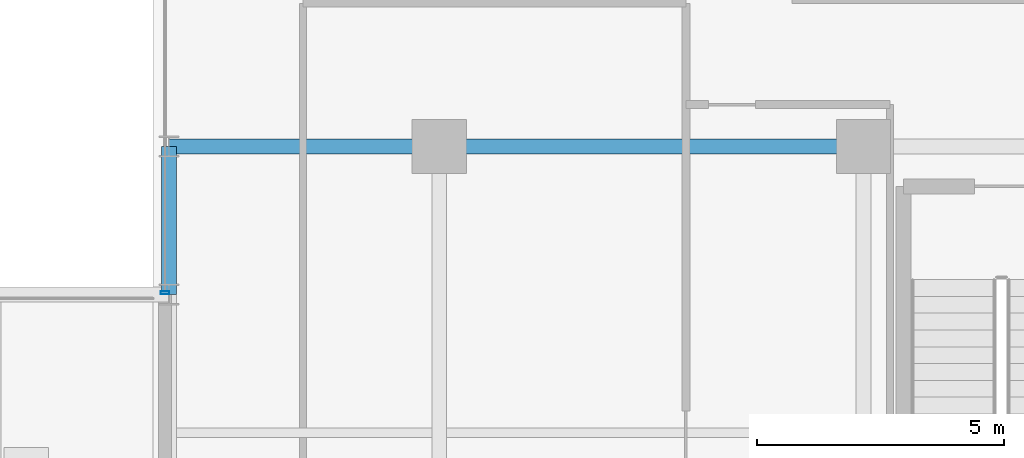
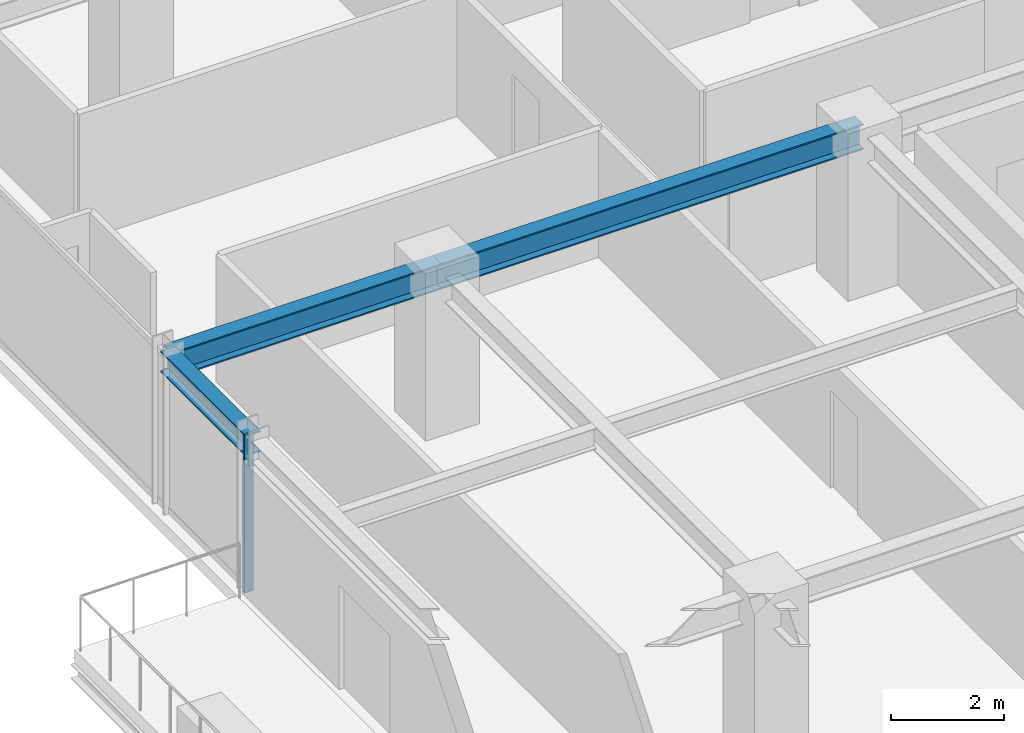
# One storey, part 9 of 31: 3 beams, 1 member, 1 element without a shape of its own.
"""IFC4 building model written with IfcOpenShell, lengths in metres."""

from ifc_helpers import new_model, si_unit, direction, frame, origin, origin_2d, place, context, subcontext, project, spatial, hollow_rectangle, i_section, extrude, source, transform, mapped, material, material_profile, profile_set, type_object, element, aggregate, save


model = new_model("IFC4")

# Units and contexts
model_context = context("Model", 3, precision=1e-05, world=origin(), true_north=direction((0.0, 1.0)))
body_context = subcontext(model_context, "Body", "Model", "MODEL_VIEW")
ifc_project = project(units=[si_unit("LENGTHUNIT", "METRE"), si_unit("AREAUNIT", "SQUARE_METRE"), si_unit("VOLUMEUNIT", "CUBIC_METRE"), si_unit("PLANEANGLEUNIT", "RADIAN"), si_unit("MASSUNIT", "GRAM", prefix="KILO")], contexts=[model_context])

# Site, building, storey
site_placement = place(None, origin())
site = spatial("IfcSite", under=ifc_project, at=site_placement, CompositionType="ELEMENT")
building_placement = place(site_placement, origin())
building = spatial("IfcBuilding", under=site, at=building_placement, Name="Nahalor Promenade Grand Hotel", CompositionType="ELEMENT")
storey_placement = place(building_placement, frame((0.0, 0.0, 156.300048828125)))
storey = spatial("IfcBuildingStorey", under=building, at=storey_placement, Name="L39", CompositionType="ELEMENT", Elevation=156.300048828125)

# Beams
ifc_material_1 = material(Name="Steel S355JR", Category="steel")
ifc_material_profile_1 = material_profile(ifc_material_1, i_section(OverallWidth=0.3, OverallDepth=0.55, WebThickness=0.015, FlangeThickness=0.029, at=origin_2d()), Name="HEB 550")
ifc_profile_set_1 = profile_set([ifc_material_profile_1], Name="Steel S355JR")
beam_type_1 = type_object("IfcBeamType", Name="Beam-Girder-HEB550", PredefinedType="BEAM", material=ifc_profile_set_1)
shared_shape_1 = source(origin(), body_context, "Body", "SweptSolid", [
    extrude(i_section(OverallWidth=0.3, OverallDepth=0.55, WebThickness=0.015, FlangeThickness=0.029, at=origin_2d()), origin(), (0.0, 0.0, 1.0), 8.60009765625),
])
beam_1_placement = place(storey_placement, frame((-17.0, -5.39990234375, 3.114990234375), z_axis=(1.0, 0.0, 0.0), x_axis=(0.0, 1.0, 0.0)))
element("IfcBeam", 1, at=beam_1_placement, inside=storey, type_object=beam_type_1, Name="BM-L39-GX-1-1", PredefinedType="BEAM", context=body_context, shape_type="MappedRepresentation", body=[
    mapped(shared_shape_1, transform((0.0, 0.0, 0.0), scale=1.0)),
])
shared_shape_2 = source(origin(), body_context, "Body", "SweptSolid", [
    extrude(i_section(OverallWidth=0.3, OverallDepth=0.55, WebThickness=0.015, FlangeThickness=0.029, at=origin_2d()), origin(), (0.0, 0.0, 1.0), 5.47998046875),
])
beam_2_placement = place(storey_placement, frame((-22.47998046875, -5.39990234375, 3.114990234375), z_axis=(1.0, 0.0, 0.0), x_axis=(0.0, 1.0, 0.0)))
element("IfcBeam", 2, at=beam_2_placement, inside=storey, type_object=beam_type_1, Name="BM-L39-GX-1-0", PredefinedType="BEAM", context=body_context, shape_type="MappedRepresentation", body=[
    mapped(shared_shape_2, transform((0.0, 0.0, 0.0), scale=1.0)),
])
ifc_material_profile_2 = material_profile(ifc_material_1, i_section(OverallWidth=0.3, OverallDepth=0.45, WebThickness=0.014, FlangeThickness=0.026, at=origin_2d()), Name="HEB 450")
ifc_profile_set_2 = profile_set([ifc_material_profile_2], Name="Steel S355JR")
beam_type_2 = type_object("IfcBeamType", Name="Beam-Spandrel-HEB450", PredefinedType="SPANDREL", material=ifc_profile_set_2)
shared_shape_3 = source(origin(), body_context, "Body", "SweptSolid", [
    extrude(i_section(OverallWidth=0.3, OverallDepth=0.45, WebThickness=0.014, FlangeThickness=0.026, at=origin_2d()), origin(), (0.0, 0.0, 1.0), 3.0),
])
beam_3_placement = place(storey_placement, frame((-22.47998046875, -8.39990234375, 3.1650390625), z_axis=(0.0, 1.0, 0.0), x_axis=(-1.0, 0.0, 0.0)))
element("IfcBeam", 3, at=beam_3_placement, inside=storey, type_object=beam_type_2, Name="BM-L39-SP-W-1", PredefinedType="SPANDREL", context=body_context, shape_type="MappedRepresentation", body=[
    mapped(shared_shape_3, transform((0.0, 0.0, 0.0), scale=1.0)),
])

# Curtain wall, member
ifc_material_2 = material(Name="Anodised Bronze Aluminium EN AW-6063 T6", Category="aluminium")
curtain_wall_type = type_object("IfcCurtainWallType", Name="CW2 Typical Hotel Flush Bronze Unitised Curtain Wall", PredefinedType="USERDEFINED", material=ifc_material_2)
curtain_wall_placement = place(storey_placement, origin())
curtain_wall = element("IfcCurtainWall", 4, at=curtain_wall_placement, inside=storey, type_object=curtain_wall_type, Name="L39 Curtain Wall CW-L39-W-3", ObjectType="UNITISED_CURTAIN_WALL", PredefinedType="USERDEFINED")
ifc_material_profile_3 = material_profile(ifc_material_2, hollow_rectangle(XDim=0.065, YDim=0.18, WallThickness=0.004, at=origin_2d()), Name="CWM 65x180x4")
ifc_profile_set_3 = profile_set([ifc_material_profile_3], Name="Anodised Bronze Aluminium EN AW-6063 T6")
member_type = type_object("IfcMemberType", Name="CWM2 Typical Bronze Mullion 65x180", PredefinedType="MULLION", material=ifc_profile_set_3)
shared_shape_4 = source(origin(), body_context, "Body", "SweptSolid", [
    extrude(hollow_rectangle(XDim=0.065, YDim=0.18, WallThickness=0.004, at=origin_2d()), origin(), (0.0, 0.0, 1.0), 3.389892578125),
])
member_placement = place(storey_placement, frame((-22.56005859375, -8.367431640625, 0.0), z_axis=(0.0, 0.0, 1.0), x_axis=(0.0, 1.0, 0.0)))
member = element("IfcMember", 5, at=member_placement, type_object=member_type, Name="CW-L39-W-3 Mullion 0", PredefinedType="MULLION", context=body_context, shape_type="MappedRepresentation", body=[
    mapped(shared_shape_4, transform((0.0, 0.0, 0.0), scale=1.0)),
])
aggregate(curtain_wall, [member])

save(model, "model.ifc")
